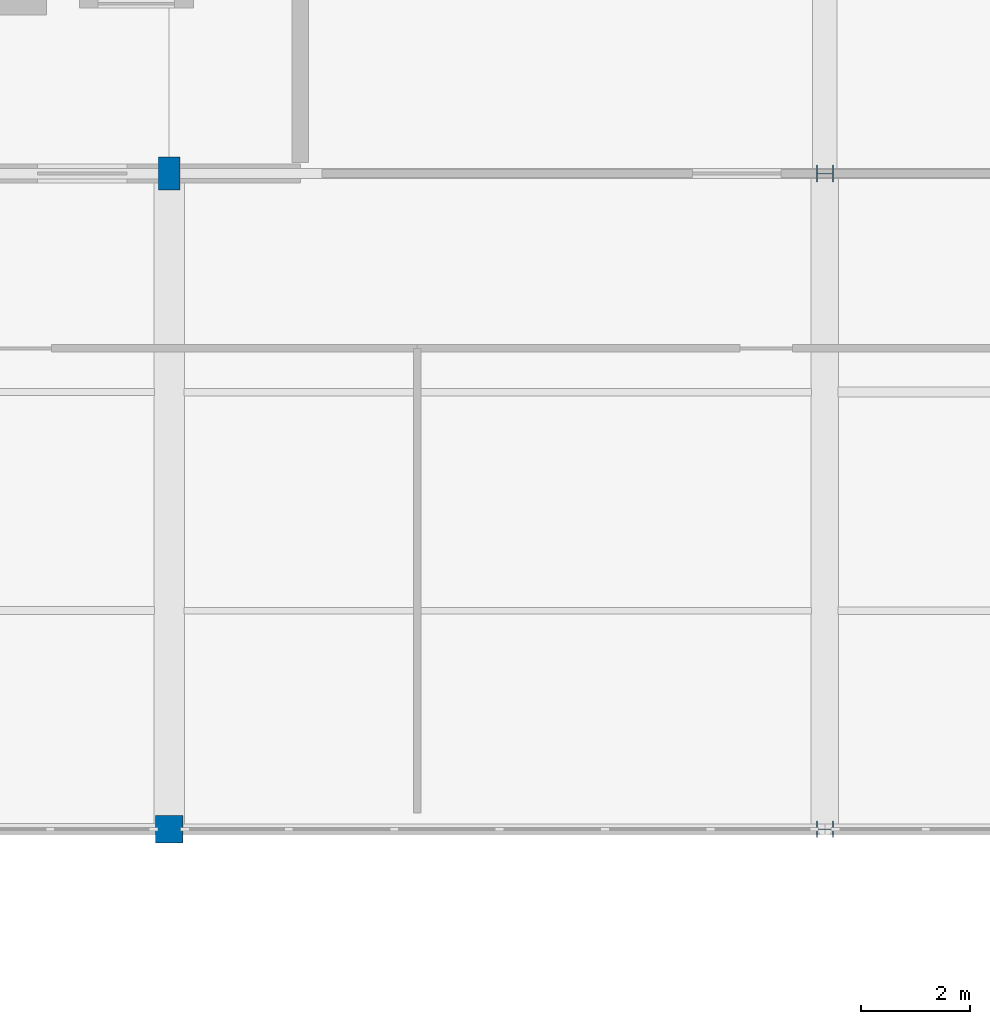
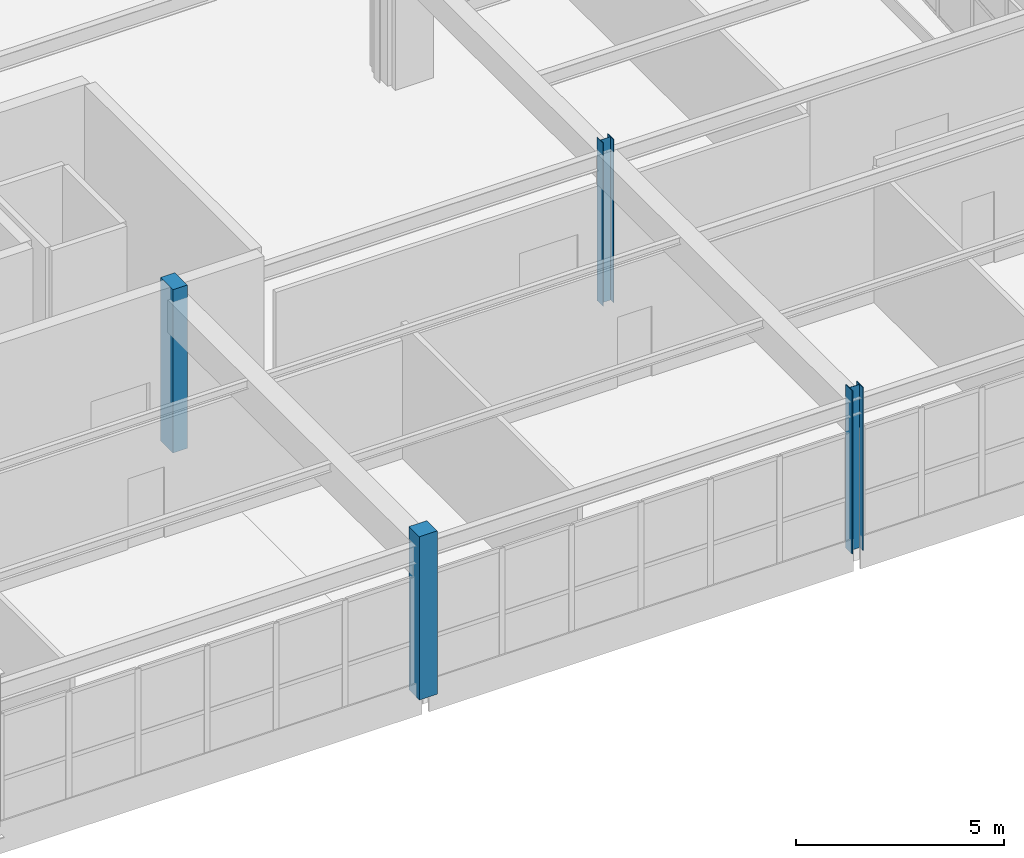
# One storey, part 53 of 226: 4 columns.
"""IFC4 building model written with IfcOpenShell, lengths in metres."""

from ifc_helpers import new_model, si_unit, direction, frame, origin, origin_2d, place, context, subcontext, project, spatial, rectangle, i_section, extrude, material, material_profile, profile_set, type_object, element, save


model = new_model("IFC4")

# Units and contexts
model_context = context("Model", 3, precision=1e-05, world=origin(), true_north=direction((0.0, 1.0)))
body_context = subcontext(model_context, "Body", "Model", "MODEL_VIEW")
ifc_project = project(units=[si_unit("LENGTHUNIT", "METRE"), si_unit("AREAUNIT", "SQUARE_METRE"), si_unit("VOLUMEUNIT", "CUBIC_METRE"), si_unit("PLANEANGLEUNIT", "RADIAN"), si_unit("MASSUNIT", "GRAM", prefix="KILO")], contexts=[model_context])

# Site, building, storey
site_placement = place(None, origin())
site = spatial("IfcSite", under=ifc_project, at=site_placement, CompositionType="ELEMENT")
building_placement = place(site_placement, origin())
building = spatial("IfcBuilding", under=site, at=building_placement, Name="Tarnwether General Hospital", CompositionType="ELEMENT")
storey_placement = place(building_placement, frame((0.0, 0.0, 4.800048828125)))
storey = spatial("IfcBuildingStorey", under=building, at=storey_placement, Name="L01", CompositionType="ELEMENT", Elevation=4.800048828125)

# Columns
ifc_material_1 = material(Name="Steel Grade 350 (350 MPa)", Category="steel")
ifc_material_profile_1 = material_profile(ifc_material_1, i_section(OverallWidth=0.306884765625, OverallDepth=0.31494140625, WebThickness=0.011962890625, FlangeThickness=0.018798828125, at=origin_2d()), Name="310UC118")
ifc_profile_set_1 = profile_set([ifc_material_profile_1], Name="Steel Grade 350 (350 MPa)")
column_type_1 = type_object("IfcColumnType", Name="COL-07", PredefinedType="COLUMN", material=ifc_profile_set_1)
column_1_placement = place(storey_placement, frame((180.0, 81.60009765625, 0.0), z_axis=(0.0, 0.0, 1.0), x_axis=(0.0, 1.0, 0.0)))
element("IfcColumn", 1, at=column_1_placement, inside=storey, type_object=column_type_1, Name="Column COLG-L01-18000_8160", PredefinedType="COLUMN", context=body_context, shape_type="SweptSolid", body=[
    extrude(i_section(OverallWidth=0.306884765625, OverallDepth=0.31494140625, WebThickness=0.011962890625, FlangeThickness=0.018798828125, at=origin_2d()), origin(), (0.0, 0.0, 1.0), 4.800048828125),
])
ifc_material_2 = material(Name="Steel Grade 350 (350 MPa)", Category="steel")
ifc_material_profile_2 = material_profile(ifc_material_2, i_section(OverallWidth=0.304931640625, OverallDepth=0.30810546875, WebThickness=0.010009765625, FlangeThickness=0.015380859375, at=origin_2d()), Name="310UC96.8")
ifc_profile_set_2 = profile_set([ifc_material_profile_2], Name="Steel Grade 350 (350 MPa)")
column_type_2 = type_object("IfcColumnType", Name="COL-08", PredefinedType="COLUMN", material=ifc_profile_set_2)
column_2_placement = place(storey_placement, frame((180.0, 93.60009765625, 0.0), z_axis=(0.0, 0.0, 1.0), x_axis=(0.0, 1.0, 0.0)))
element("IfcColumn", 2, at=column_2_placement, inside=storey, type_object=column_type_2, Name="Column COLG-L01-18000_9360", PredefinedType="COLUMN", context=body_context, shape_type="SweptSolid", body=[
    extrude(i_section(OverallWidth=0.304931640625, OverallDepth=0.30810546875, WebThickness=0.010009765625, FlangeThickness=0.015380859375, at=origin_2d()), origin(), (0.0, 0.0, 1.0), 4.800048828125),
])
ifc_material_3 = material(Name="Concrete 50 MPa", Category="concrete")
ifc_material_profile_3 = material_profile(ifc_material_3, rectangle(XDim=0.5, YDim=0.5, at=origin_2d()), Name="RC-COL-500x500")
ifc_profile_set_3 = profile_set([ifc_material_profile_3], Name="Concrete 50 MPa")
column_type_3 = type_object("IfcColumnType", Name="COL-20", PredefinedType="COLUMN", material=ifc_profile_set_3)
column_3_placement = place(storey_placement, frame((168.0, 81.60009765625, 0.0), z_axis=(0.0, 0.0, 1.0), x_axis=(1.0, 0.0, 0.0)))
element("IfcColumn", 3, at=column_3_placement, inside=storey, type_object=column_type_3, Name="Column COLG-L01-16800_8160", PredefinedType="COLUMN", context=body_context, shape_type="SweptSolid", body=[
    extrude(rectangle(XDim=0.5, YDim=0.5, at=origin_2d()), origin(), (0.0, 0.0, 1.0), 4.800048828125),
])
ifc_material_4 = material(Name="Concrete 50 MPa", Category="concrete")
ifc_material_profile_4 = material_profile(ifc_material_4, rectangle(XDim=0.39990234375, YDim=0.60009765625, at=origin_2d()), Name="RC-PIL-400x600")
ifc_profile_set_4 = profile_set([ifc_material_profile_4], Name="Concrete 50 MPa")
column_type_4 = type_object("IfcColumnType", Name="COL-21", PredefinedType="PILASTER", material=ifc_profile_set_4)
column_4_placement = place(storey_placement, frame((168.0, 93.60009765625, 0.0), z_axis=(0.0, 0.0, 1.0), x_axis=(1.0, 0.0, 0.0)))
element("IfcColumn", 4, at=column_4_placement, inside=storey, type_object=column_type_4, Name="Column COLG-L01-16800_9360", PredefinedType="PILASTER", context=body_context, shape_type="SweptSolid", body=[
    extrude(rectangle(XDim=0.39990234375, YDim=0.60009765625, at=origin_2d()), origin(), (0.0, 0.0, 1.0), 4.800048828125),
])

save(model, "model.ifc")
